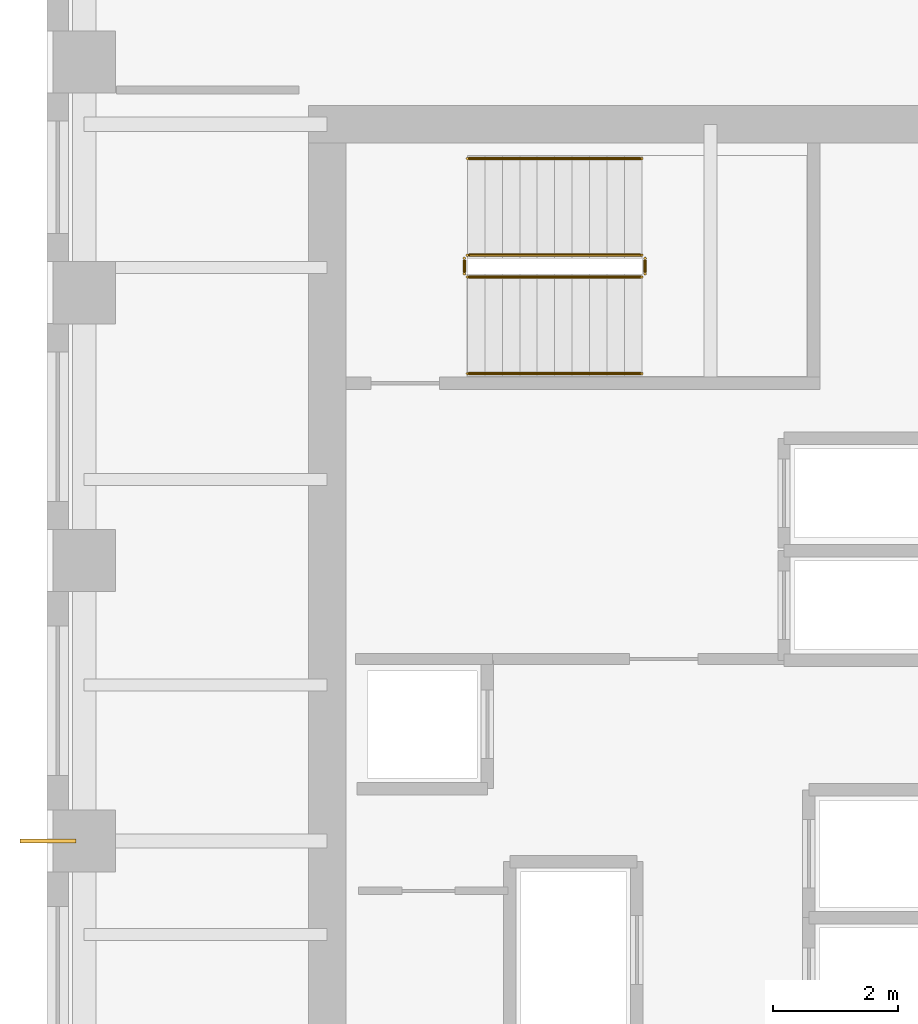
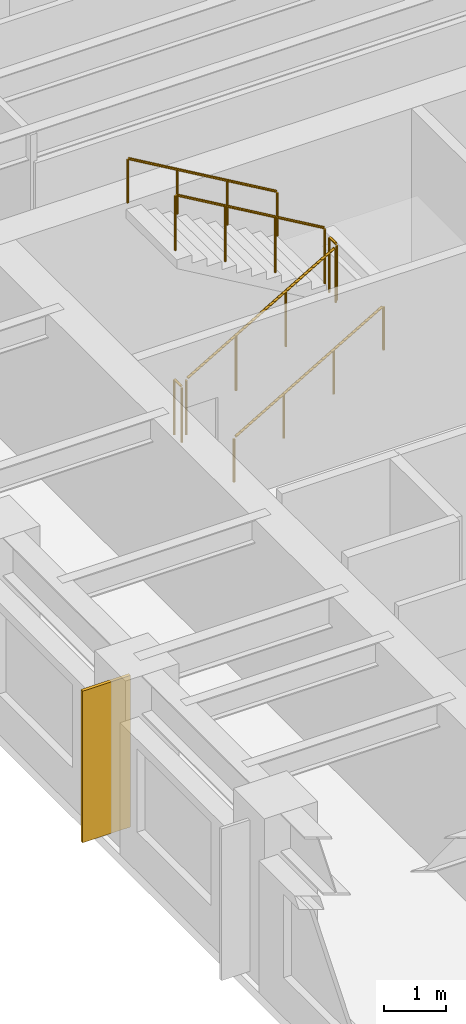
# One storey, part 10 of 11: 6 railings, 1 covering.
"""IFC4 building model written with IfcOpenShell, lengths in metres."""

import ifcopenshell
import ifcopenshell.guid

model = None  # the IFC model being written
_history = None  # IfcOwnerHistory: only IFC2X3 demands one
_inside = {}  # id of a spatial element -> (the spatial element, [elements in it])
_under = {}  # id of a project, library or spatial element -> (it, [spatial elements below it])
_declared = {}  # id of a project -> (the project, [libraries it declares])
_typed = {}  # id of a type object -> (the type object, [elements of that type])
_made_of = {}  # id of a material, layer set ... -> (it, [elements and type objects made of it])


def new_model(schema):
    """Start an empty IFC model of exactly this schema.

    Asked for "IFC4X3", IfcOpenShell would pick the latest addendum, in which some entities
    have other attributes; the version numbers below select the first issue.
    IFC2X3 requires an IfcOwnerHistory on every rooted entity: one is made here for all.
    """
    global model, _history
    if schema == "IFC4X3":
        model = ifcopenshell.file(schema_version=(4, 3, 0, 0))
    else:
        model = ifcopenshell.file(schema=schema)
    _inside.clear()
    _under.clear()
    _declared.clear()
    _typed.clear()
    _made_of.clear()
    _history = None
    if model.schema == "IFC2X3":
        org = make("IfcOrganization", Name="unknown")
        user = make(
            "IfcPersonAndOrganization",
            ThePerson=make("IfcPerson", FamilyName="unknown"),
            TheOrganization=org,
        )
        app = make(
            "IfcApplication",
            ApplicationDeveloper=org,
            Version="unknown",
            ApplicationFullName="unknown",
            ApplicationIdentifier="unknown",
        )
        _history = make(
            "IfcOwnerHistory",
            OwningUser=user,
            OwningApplication=app,
            ChangeAction="ADDED",
            CreationDate=0,
        )
    return model


def make(cls, **values):
    """One entity of the class cls with the attributes given. An attribute that is None is left unset."""
    return model.create_entity(
        cls, **{name: value for name, value in values.items() if value is not None}
    )


def rooted(cls, **values):
    """An entity with a GlobalId (a new one), such as an element, a storey or a relation."""
    return make(cls, GlobalId=ifcopenshell.guid.new(), OwnerHistory=_history, **values)


def si_unit(unit_type, name, prefix=None):
    """IfcSIUnit, for example si_unit("LENGTHUNIT", "METRE", prefix="MILLI")."""
    return make("IfcSIUnit", UnitType=unit_type, Prefix=prefix, Name=name)


def assignment(units):
    """IfcUnitAssignment: the units of a project."""
    return None if units is None else make("IfcUnitAssignment", Units=units)


def point(xyz):
    """IfcCartesianPoint."""
    return None if xyz is None else make("IfcCartesianPoint", Coordinates=xyz)


def direction(xyz):
    """IfcDirection."""
    return None if xyz is None else make("IfcDirection", DirectionRatios=xyz)


def frame(location, z_axis=None, x_axis=None):
    """IfcAxis2Placement3D, a coordinate frame: its origin and axes. An axis left out is left unset."""
    return make(
        "IfcAxis2Placement3D",
        Location=point(location),
        Axis=direction(z_axis),
        RefDirection=direction(x_axis),
    )


def frame_2d(location, x_axis=None):
    """IfcAxis2Placement2D, a coordinate frame in the plane: its origin and x axis."""
    return make(
        "IfcAxis2Placement2D", Location=point(location), RefDirection=direction(x_axis)
    )


def origin():
    """The frame at (0, 0, 0) with its axes left unset."""
    return frame((0.0, 0.0, 0.0))


def origin_2d():
    """The frame at (0, 0) in the plane with its x axis left unset."""
    return frame_2d((0.0, 0.0))


def place(relative_to, where):
    """IfcLocalPlacement: puts the frame where relative to a parent placement (None: the world)."""
    return make(
        "IfcLocalPlacement", PlacementRelTo=relative_to, RelativePlacement=where
    )


def context(
    kind, dimensions, precision=None, world=None, true_north=None, identifier=None
):
    """IfcGeometricRepresentationContext, for example the 3D "Model" context."""
    return make(
        "IfcGeometricRepresentationContext",
        ContextIdentifier=identifier,
        ContextType=kind,
        CoordinateSpaceDimension=dimensions,
        Precision=precision,
        WorldCoordinateSystem=world,
        TrueNorth=true_north,
    )


def subcontext(parent, identifier, kind, view, scale=None):
    """IfcGeometricRepresentationSubContext, for example "Body" below "Model"."""
    return make(
        "IfcGeometricRepresentationSubContext",
        ContextIdentifier=identifier,
        ContextType=kind,
        ParentContext=parent,
        TargetScale=scale,
        TargetView=view,
    )


def project(units=None, contexts=None):
    """IfcProject with its units and contexts."""
    return rooted(
        "IfcProject",
        Name="project",
        RepresentationContexts=contexts,
        UnitsInContext=assignment(units),
    )


def spatial(cls, under=None, at=None, **own):
    """A site, building, storey or space (cls), placed at a placement, below another one or the project."""
    s = rooted(cls, ObjectPlacement=at, **own)
    if under is not None:
        _under.setdefault(under.id(), (under, []))[1].append(s)
    return s


def profile(cls, at=None, kind="AREA", **sizes):
    """A parametric profile (cls). Its sizes go by their IFC names, for example OverallWidth=200.0."""
    return make(cls, ProfileType=kind, Position=at, **sizes)


def rectangle(**sizes):
    """IfcRectangleProfileDef."""
    return profile("IfcRectangleProfileDef", **sizes)


def circle(**sizes):
    """IfcCircleProfileDef."""
    return profile("IfcCircleProfileDef", **sizes)


def extrude(swept, where, along, depth):
    """IfcExtrudedAreaSolid: the profile swept, set in the frame where, extruded along a direction by depth."""
    return make(
        "IfcExtrudedAreaSolid",
        SweptArea=swept,
        Position=where,
        ExtrudedDirection=direction(along),
        Depth=depth,
    )


def shape(context_of_items, identifier, shape_type, items):
    """IfcShapeRepresentation: the items that make up one representation, for example the "Body"."""
    return make(
        "IfcShapeRepresentation",
        ContextOfItems=context_of_items,
        RepresentationIdentifier=identifier,
        RepresentationType=shape_type,
        Items=items,
    )


def source(mapping_origin, context_of_items, identifier, shape_type, items):
    """IfcRepresentationMap: a shape defined once, which mapped items show again and again."""
    return make(
        "IfcRepresentationMap",
        MappingOrigin=mapping_origin,
        MappedRepresentation=shape(context_of_items, identifier, shape_type, items),
    )


def transform(
    local_origin,
    x_axis=None,
    y_axis=None,
    z_axis=None,
    scale=None,
    scale2=None,
    scale3=None,
    uniform=True,
):
    """IfcCartesianTransformationOperator3D, or its non-uniform kind. x_axis, y_axis, z_axis: its Axis1, 2, 3."""
    if uniform:
        return make(
            "IfcCartesianTransformationOperator3D",
            Axis1=direction(x_axis),
            Axis2=direction(y_axis),
            LocalOrigin=point(local_origin),
            Scale=scale,
            Axis3=direction(z_axis),
        )
    return make(
        "IfcCartesianTransformationOperator3DnonUniform",
        Axis1=direction(x_axis),
        Axis2=direction(y_axis),
        LocalOrigin=point(local_origin),
        Scale=scale,
        Axis3=direction(z_axis),
        Scale2=scale2,
        Scale3=scale3,
    )


def mapped(mapping_source, mapping_target):
    """IfcMappedItem: shows the shape of a source again, moved by a transform."""
    return make(
        "IfcMappedItem", MappingSource=mapping_source, MappingTarget=mapping_target
    )


def material(Name=None, Category=None):
    """IfcMaterial."""
    return make("IfcMaterial", Name=Name, Category=Category)


def layer(
    of_material, thickness, ventilated=None, Name=None, Category=None, Priority=None
):
    """IfcMaterialLayer: one layer of a wall or slab, of a material (None: an air gap)."""
    return make(
        "IfcMaterialLayer",
        Material=of_material,
        LayerThickness=thickness,
        IsVentilated=ventilated,
        Name=Name,
        Category=Category,
        Priority=Priority,
    )


def layer_set(layers, Name=None):
    """IfcMaterialLayerSet."""
    return make("IfcMaterialLayerSet", MaterialLayers=layers, LayerSetName=Name)


def made_of(thing, what):
    """Note that an element or type object is made of a material, layer set ...; save() writes the relation."""
    if what is not None:
        _made_of.setdefault(what.id(), (what, []))[1].append(thing)
    return thing


def type_object(cls, material=None, **own):
    """A type object (cls), such as IfcWallType, which elements share."""
    return made_of(rooted(cls, **own), material)


def element(
    cls,
    number,
    at=None,
    inside=None,
    cuts=None,
    type_object=None,
    material=None,
    context=None,
    identifier="Body",
    shape_type=None,
    held_by="IfcProductDefinitionShape",
    body=None,
    shapes=None,
    **own,
):
    """One element of the class cls, such as IfcWall. Its Tag is "e" and its number.

    at: its placement. inside: the storey or other place that contains it. cuts: it is an
    opening in that element (IfcRelVoidsElement). A single representation is given by context,
    identifier, shape_type and body (its items); several are given by shapes. held_by: the class
    of the entity that holds the representations. save() writes the other relations.
    """
    e = rooted(cls, Tag="e%d" % number, ObjectPlacement=at, **own)
    if body is not None:
        shapes = [shape(context, identifier, shape_type, body)]
    if shapes is not None:
        e.Representation = make(held_by, Representations=shapes)
    if inside is not None:
        _inside.setdefault(inside.id(), (inside, []))[1].append(e)
    if cuts is not None:
        rooted(
            "IfcRelVoidsElement", RelatingBuildingElement=cuts, RelatedOpeningElement=e
        )
    if type_object is not None:
        _typed.setdefault(type_object.id(), (type_object, []))[1].append(e)
    return made_of(e, material)


def aggregate(whole, parts):
    """IfcRelAggregates: a whole, such as a stair, and the parts it consists of."""
    return rooted("IfcRelAggregates", RelatingObject=whole, RelatedObjects=parts)


def save(model, path):
    """Write the relations noted so far, then the file.

    IfcRelAggregates (storeys below a building ...), IfcRelContainedInSpatialStructure (elements
    in a storey), IfcRelDefinesByType, IfcRelAssociatesMaterial and IfcRelDeclares: one each for
    every whole, place, type object, material and project.
    """
    for whole, parts in _under.values():
        aggregate(whole, parts)
    for where, things in _inside.values():
        rooted(
            "IfcRelContainedInSpatialStructure",
            RelatedElements=things,
            RelatingStructure=where,
        )
    for kind, things in _typed.values():
        rooted("IfcRelDefinesByType", RelatedObjects=things, RelatingType=kind)
    for what, things in _made_of.values():
        rooted("IfcRelAssociatesMaterial", RelatedObjects=things, RelatingMaterial=what)
    for by, libraries in _declared.values():
        rooted("IfcRelDeclares", RelatingContext=by, RelatedDefinitions=libraries)
    model.write(path)


model = new_model("IFC4")

# Units and contexts
model_context = context("Model", 3, precision=1e-05, world=origin(), true_north=direction((0.0, 1.0)))
body_context = subcontext(model_context, "Body", "Model", "MODEL_VIEW")
ifc_project = project(units=[si_unit("LENGTHUNIT", "METRE"), si_unit("AREAUNIT", "SQUARE_METRE"), si_unit("VOLUMEUNIT", "CUBIC_METRE"), si_unit("PLANEANGLEUNIT", "RADIAN"), si_unit("MASSUNIT", "GRAM", prefix="KILO")], contexts=[model_context])

# Site, building, storey
site_placement = place(None, origin())
site = spatial("IfcSite", under=ifc_project, at=site_placement, CompositionType="ELEMENT")
building_placement = place(site_placement, origin())
building = spatial("IfcBuilding", under=site, at=building_placement, Name="Kharzan Plaza Tower", CompositionType="ELEMENT")
storey_placement = place(building_placement, frame((0.0, 0.0, 193.5)))
storey = spatial("IfcBuildingStorey", under=building, at=storey_placement, Name="L52", CompositionType="ELEMENT", Elevation=193.5)

# Railings
ifc_material_1 = material(Name="Painted Galvanized Architectural Steel", Category="steel")
ifc_layer_1 = layer(ifc_material_1, 0.074951171875)
ifc_layer_set_1 = layer_set([ifc_layer_1], Name="Painted Galvanized Architectural Steel")
railing_type_1 = type_object("IfcRailingType", Name="RL-GUARD-1120", PredefinedType="BALUSTRADE", material=ifc_layer_set_1)
shared_shape_1 = source(origin(), body_context, "Body", "SweptSolid", [
    extrude(circle(Radius=0.02392578125, at=origin_2d()), frame((0.0, 0.0263671875, 1.09619140625), z_axis=(0.0, 1.0, 0.0), x_axis=(-1.0, 0.0, 0.0)), (0.0, 0.0, 1.0), 0.197021484375),
    extrude(circle(Radius=0.02099609375, at=origin_2d()), origin(), (0.0, 0.0, 1.0), 1.072021484375),
    extrude(circle(Radius=0.02099609375, at=origin_2d()), frame((0.0, 0.25, 0.0)), (0.0, 0.0, 1.0), 1.072021484375),
])
for number, where, name in (
    (1, (9.60009765625, 27.10009765625, 1.800048828125), "L52 ST-2 stair guard 2"),
    (2, (6.699951171875, 27.10009765625, 0.0), "L52 ST-2 stair guard 4"),
):
    element("IfcRailing", number, at=place(storey_placement, frame(where)), inside=storey, type_object=railing_type_1, Name=name, PredefinedType="BALUSTRADE", context=body_context, shape_type="MappedRepresentation", body=[
        mapped(shared_shape_1, transform((0.0, 0.0, 0.0), x_axis=(1.0, 0.0, 0.0), y_axis=(0.0, 1.0, 0.0), z_axis=(0.0, 0.0, 1.0))),
    ])

# Covering
ifc_material_2 = material(Name="Honed Riyadh Limestone", Category="masonry")
ifc_layer_2 = layer(ifc_material_2, 0.06005859375)
ifc_layer_set_2 = layer_set([ifc_layer_2], Name="Honed Riyadh Limestone")
covering_type = type_object("IfcCoveringType", Name="COV-CLAD-STONE", PredefinedType="CLADDING", material=ifc_layer_set_2)
shared_shape_2 = source(origin(), body_context, "Body", "SweptSolid", [
    extrude(rectangle(XDim=0.06005859375, YDim=0.89990234375, at=origin_2d()), origin(), (0.0, 0.0, 1.0), 3.0),
])
covering_placement = place(storey_placement, frame((0.02001953125, 18.0, 0.10009765625), z_axis=(0.0, 0.0, 1.0), x_axis=(0.0, 1.0, 0.0)))
element("IfcCovering", 3, at=covering_placement, inside=storey, type_object=covering_type, Name="L52 Limestone Pier Rainscreen Cladding TCW-180", PredefinedType="CLADDING", context=body_context, shape_type="MappedRepresentation", body=[
    mapped(shared_shape_2, transform((0.0, 0.0, 0.0), x_axis=(1.0, 0.0, 0.0), y_axis=(0.0, 1.0, 0.0), z_axis=(0.0, 0.0, 1.0))),
])

# Railings
shared_shape_3 = source(origin(), body_context, "Body", "SweptSolid", [
    extrude(circle(Radius=0.02392578125, at=origin_2d()), frame((0.02294921875, 0.0, 1.109375), z_axis=(0.863360870873, 0.0, 0.504586966384), x_axis=(0.0, 1.0, 0.0)), (0.0, 0.0, 1.0), 3.190185546875),
    extrude(circle(Radius=0.02099609375, at=origin_2d()), origin(), (0.0, 0.0, 1.0), 1.072021484375),
    extrude(circle(Radius=0.02099609375, at=origin_2d()), frame((0.933349609375, 0.0, 0.54541015625)), (0.0, 0.0, 1.0), 1.072021484375),
    extrude(circle(Radius=0.02099609375, at=origin_2d()), frame((1.86669921875, 0.0, 1.091064453125)), (0.0, 0.0, 1.0), 1.072021484375),
    extrude(circle(Radius=0.02099609375, at=origin_2d()), frame((2.800048828125, 0.0, 1.636474609375)), (0.0, 0.0, 1.0), 1.072021484375),
])
railing_1_placement = place(storey_placement, frame((6.75, 27.050048828125, 0.16357421875)))
element("IfcRailing", 4, at=railing_1_placement, inside=storey, type_object=railing_type_1, Name="L52 ST-2 stair guard 1", PredefinedType="BALUSTRADE", context=body_context, shape_type="MappedRepresentation", body=[
    mapped(shared_shape_3, transform((0.0, 0.0, 0.0), x_axis=(1.0, 0.0, 0.0), y_axis=(0.0, 1.0, 0.0), z_axis=(0.0, 0.0, 1.0))),
])
shared_shape_4 = source(origin(), body_context, "Body", "SweptSolid", [
    extrude(circle(Radius=0.02392578125, at=origin_2d()), frame((-0.02294921875, 0.0, 1.109375), z_axis=(-0.863360870873, 0.0, 0.504586966384), x_axis=(0.0, -1.0, 0.0)), (0.0, 0.0, 1.0), 3.190185546875),
    extrude(circle(Radius=0.02099609375, at=origin_2d()), origin(), (0.0, 0.0, 1.0), 1.072021484375),
    extrude(circle(Radius=0.02099609375, at=origin_2d()), frame((-0.933349609375, 0.0, 0.54541015625)), (0.0, 0.0, 1.0), 1.072021484375),
    extrude(circle(Radius=0.02099609375, at=origin_2d()), frame((-1.86669921875, 0.0, 1.091064453125)), (0.0, 0.0, 1.0), 1.072021484375),
    extrude(circle(Radius=0.02099609375, at=origin_2d()), frame((-2.800048828125, 0.0, 1.636474609375)), (0.0, 0.0, 1.0), 1.072021484375),
])
railing_2_placement = place(storey_placement, frame((9.550048828125, 27.39990234375, 1.963623046875)))
element("IfcRailing", 5, at=railing_2_placement, inside=storey, type_object=railing_type_1, Name="L52 ST-2 stair guard 3", PredefinedType="BALUSTRADE", context=body_context, shape_type="MappedRepresentation", body=[
    mapped(shared_shape_4, transform((0.0, 0.0, 0.0), x_axis=(1.0, 0.0, 0.0), y_axis=(0.0, 1.0, 0.0), z_axis=(0.0, 0.0, 1.0))),
])
ifc_material_3 = material(Name="Brushed Stainless Steel", Category="steel")
ifc_layer_3 = layer(ifc_material_3, 0.050048828125)
ifc_layer_set_3 = layer_set([ifc_layer_3], Name="Brushed Stainless Steel")
railing_type_2 = type_object("IfcRailingType", Name="RL-STAIR-HR920", PredefinedType="HANDRAIL", material=ifc_layer_set_3)
shared_shape_5 = source(origin(), body_context, "Body", "SweptSolid", [
    extrude(circle(Radius=0.02392578125, at=origin_2d()), frame((0.02294921875, 0.0, 0.88916015625), z_axis=(0.863360870873, 0.0, 0.504586966384), x_axis=(0.0, 1.0, 0.0)), (0.0, 0.0, 1.0), 3.190185546875),
    extrude(circle(Radius=0.02099609375, at=origin_2d()), origin(), (0.0, 0.0, 1.0), 0.851806640625),
    extrude(circle(Radius=0.02099609375, at=origin_2d()), frame((0.933349609375, 0.0, 0.54541015625)), (0.0, 0.0, 1.0), 0.851806640625),
    extrude(circle(Radius=0.02099609375, at=origin_2d()), frame((1.86669921875, 0.0, 1.091064453125)), (0.0, 0.0, 1.0), 0.851806640625),
    extrude(circle(Radius=0.02099609375, at=origin_2d()), frame((2.800048828125, 0.0, 1.636474609375)), (0.0, 0.0, 1.0), 0.851806640625),
])
railing_3_placement = place(storey_placement, frame((6.75, 25.5, 0.16357421875)))
element("IfcRailing", 6, at=railing_3_placement, inside=storey, type_object=railing_type_2, Name="L52 ST-2 stair handrail 1", PredefinedType="HANDRAIL", context=body_context, shape_type="MappedRepresentation", body=[
    mapped(shared_shape_5, transform((0.0, 0.0, 0.0), x_axis=(1.0, 0.0, 0.0), y_axis=(0.0, 1.0, 0.0), z_axis=(0.0, 0.0, 1.0))),
])
shared_shape_6 = source(origin(), body_context, "Body", "SweptSolid", [
    extrude(circle(Radius=0.02392578125, at=origin_2d()), frame((-0.02294921875, 0.0, 0.88916015625), z_axis=(-0.863360870873, 0.0, 0.504586966384), x_axis=(0.0, -1.0, 0.0)), (0.0, 0.0, 1.0), 3.190185546875),
    extrude(circle(Radius=0.02099609375, at=origin_2d()), origin(), (0.0, 0.0, 1.0), 0.851806640625),
    extrude(circle(Radius=0.02099609375, at=origin_2d()), frame((-0.933349609375, 0.0, 0.54541015625)), (0.0, 0.0, 1.0), 0.851806640625),
    extrude(circle(Radius=0.02099609375, at=origin_2d()), frame((-1.86669921875, 0.0, 1.091064453125)), (0.0, 0.0, 1.0), 0.851806640625),
    extrude(circle(Radius=0.02099609375, at=origin_2d()), frame((-2.800048828125, 0.0, 1.636474609375)), (0.0, 0.0, 1.0), 0.851806640625),
])
railing_4_placement = place(storey_placement, frame((9.550048828125, 28.949951171875, 1.963623046875)))
element("IfcRailing", 7, at=railing_4_placement, inside=storey, type_object=railing_type_2, Name="L52 ST-2 stair handrail 2", PredefinedType="HANDRAIL", context=body_context, shape_type="MappedRepresentation", body=[
    mapped(shared_shape_6, transform((0.0, 0.0, 0.0), x_axis=(1.0, 0.0, 0.0), y_axis=(0.0, 1.0, 0.0), z_axis=(0.0, 0.0, 1.0))),
])

save(model, "model.ifc")
